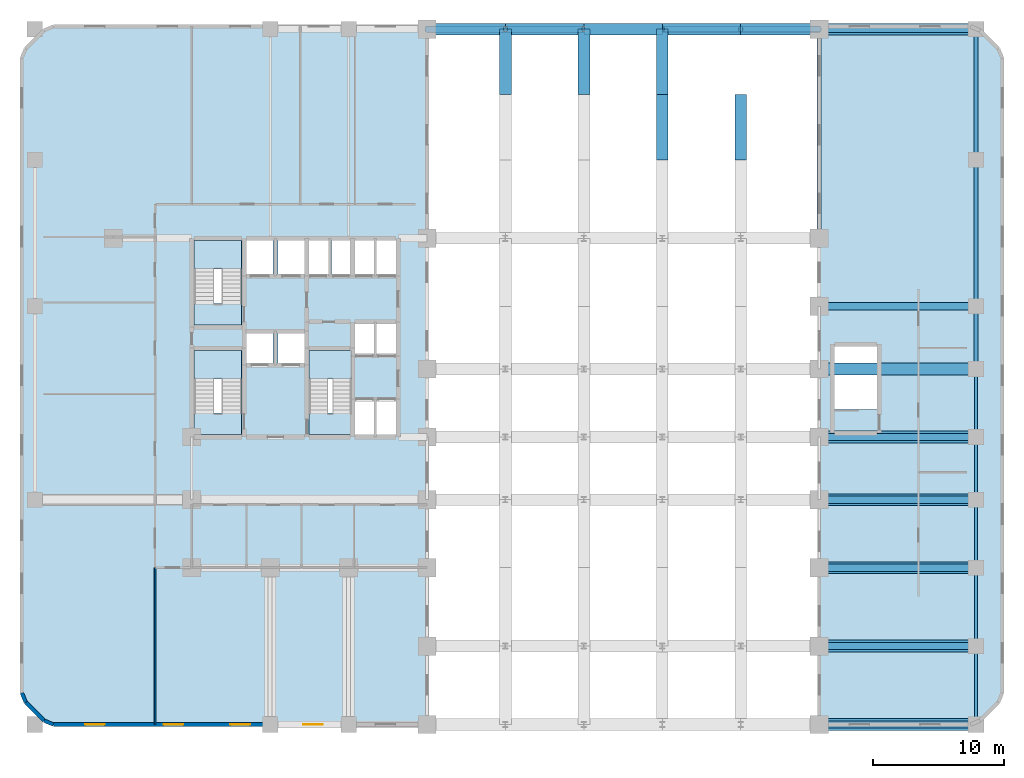
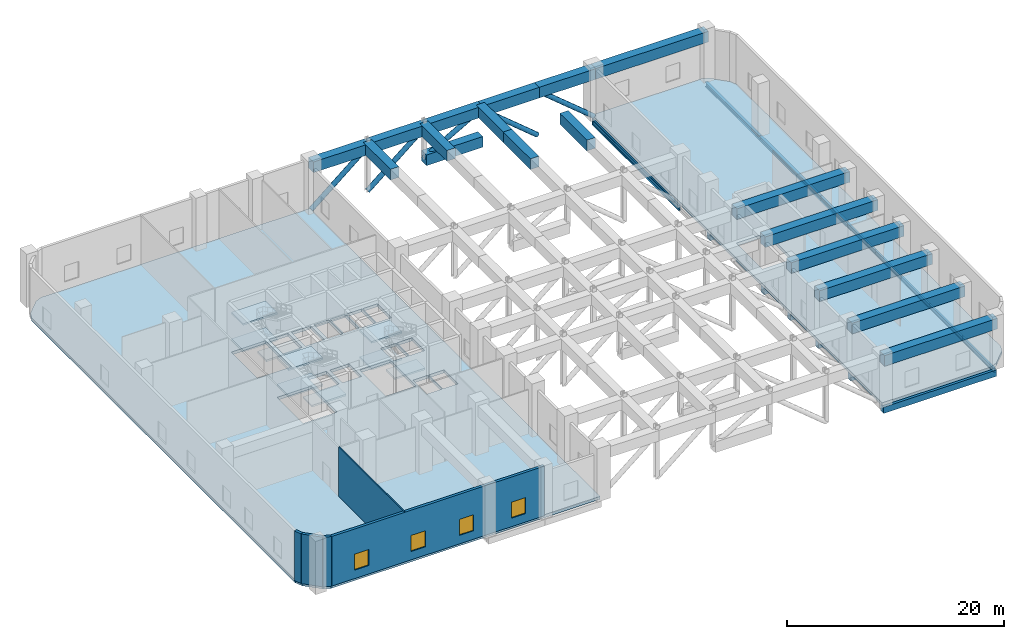
# One storey, part 3 of 11: 34 beams, 11 slabs, 5 members, 5 walls, 4 windows, 4 openings, 3 elements without a shape of their own.
"""IFC4 building model written with IfcOpenShell, lengths in metres."""

from ifc_helpers import new_model, si_unit, direction, frame, frame_2d, origin, origin_2d, place, context, subcontext, project, spatial, polyline, rectangle, hollow_circle, i_section, outline, extrude, material, layer, layer_set, material_profile, profile_set, type_object, element, fill, aggregate, save


model = new_model("IFC4")

# Units and contexts
model_context = context("Model", 3, precision=1e-05, world=origin(), true_north=direction((0.0, 1.0)))
body_context = subcontext(model_context, "Body", "Model", "MODEL_VIEW")
ifc_project = project(units=[si_unit("LENGTHUNIT", "METRE"), si_unit("AREAUNIT", "SQUARE_METRE"), si_unit("VOLUMEUNIT", "CUBIC_METRE"), si_unit("PLANEANGLEUNIT", "RADIAN"), si_unit("MASSUNIT", "GRAM", prefix="KILO")], contexts=[model_context])

# Site, building, storey
site_placement = place(None, origin())
site = spatial("IfcSite", under=ifc_project, at=site_placement, CompositionType="ELEMENT")
building_placement = place(site_placement, origin())
building = spatial("IfcBuilding", under=site, at=building_placement, Name="Keshet Zoharim Tower", CompositionType="ELEMENT")
storey_placement = place(building_placement, frame((0.0, 0.0, 13.0)))
storey = spatial("IfcBuildingStorey", under=building, at=storey_placement, Name="L02", CompositionType="ELEMENT", Elevation=13.0)

# Beams
ifc_material_1 = material(Name="Concrete C60/75", Category="concrete")
ifc_material_profile_1 = material_profile(ifc_material_1, rectangle(XDim=0.89990234375, YDim=1.199951171875, at=origin_2d()), Name="RC1200x900")
ifc_profile_set_1 = profile_set([ifc_material_profile_1], Name="Concrete C60/75")
beam_type_1 = type_object("IfcBeamType", Name="BM-ARCH-1200", PredefinedType="BEAM", material=ifc_profile_set_1)
beam_1_placement = place(storey_placement, frame((45.0, 53.89990234375, 1.56298828125), z_axis=(1.0, 0.0, 0.0), x_axis=(0.0, 1.0, 0.0)))
element("IfcBeam", 1, at=beam_1_placement, inside=storey, type_object=beam_type_1, Name="Arch Spandrel Transfer Rib L-03", PredefinedType="BEAM", context=body_context, shape_type="SweptSolid", body=[
    extrude(rectangle(XDim=0.89990234375, YDim=1.199951171875, at=origin_2d()), origin(), (0.0, 0.0, 1.0), 6.0),
])
ifc_material_2 = material(Name="Steel S355", Category="steel")
ifc_material_profile_2 = material_profile(ifc_material_2, i_section(OverallWidth=0.300048828125, OverallDepth=0.60009765625, WebThickness=0.015380859375, FlangeThickness=0.030029296875, FilletRadius=0.027099609375, at=origin_2d()), Name="HEB600")
ifc_profile_set_2 = profile_set([ifc_material_profile_2], Name="Steel S355")
beam_type_2 = type_object("IfcBeamType", Name="BM-LNG-HB600", PredefinedType="BEAM", material=ifc_profile_set_2)
beam_2_placement = place(storey_placement, frame((63.0, 37.89990234375, -0.6298828125), z_axis=(0.0, 1.0, 0.0), x_axis=(-1.0, 0.0, 0.0)))
element("IfcBeam", 2, at=beam_2_placement, inside=storey, type_object=beam_type_2, Name="L02 Primary Girder Y-021", PredefinedType="BEAM", context=body_context, shape_type="SweptSolid", body=[
    extrude(i_section(OverallWidth=0.300048828125, OverallDepth=0.60009765625, WebThickness=0.015380859375, FlangeThickness=0.030029296875, FilletRadius=0.027099609375, at=origin_2d()), origin(), (0.0, 0.0, 1.0), 16.0),
])
ifc_material_3 = material(Name="Concrete C50/60", Category="concrete")
ifc_material_profile_3 = material_profile(ifc_material_3, rectangle(XDim=0.550048828125, YDim=0.699951171875, at=origin_2d()), Name="RC700x550")
ifc_profile_set_3 = profile_set([ifc_material_profile_3], Name="Concrete C50/60")
beam_type_3 = type_object("IfcBeamType", Name="BM-LNT-700", PredefinedType="LINTEL", material=ifc_profile_set_3)
for number, where, z_axis, x_axis, name in (
    (3, (63.0, 0.699951171875, -0.679931640625), (1.0, 0.0, 0.0), (0.0, 1.0, 0.0), "L02 Primary Girder X-003"),
    (4, (63.0, 6.699951171875, -0.679931640625), (1.0, 0.0, 0.0), (0.0, 1.0, 0.0), "L02 Primary Girder X-004"),
    (5, (63.0, 12.699951171875, -0.679931640625), (1.0, 0.0, 0.0), (0.0, 1.0, 0.0), "L02 Primary Girder X-008"),
    (6, (63.0, 17.89990234375, -0.679931640625), (1.0, 0.0, 0.0), (0.0, 1.0, 0.0), "L02 Primary Girder X-011"),
    (7, (63.0, 22.699951171875, -0.679931640625), (1.0, 0.0, 0.0), (0.0, 1.0, 0.0), "L02 Primary Girder X-013"),
    (8, (63.0, 32.699951171875, -0.679931640625), (1.0, 0.0, 0.0), (0.0, 1.0, 0.0), "L02 Primary Girder X-014"),
    (9, (63.0, 53.89990234375, -0.679931640625), (1.0, 0.0, 0.0), (0.0, 1.0, 0.0), "L02 Primary Girder X-019"),
):
    element("IfcBeam", number, at=place(storey_placement, frame(where, z_axis=z_axis, x_axis=x_axis)), inside=storey, type_object=beam_type_3, Name=name, PredefinedType="LINTEL", context=body_context, shape_type="SweptSolid", body=[
        extrude(rectangle(XDim=0.550048828125, YDim=0.699951171875, at=origin_2d()), origin(), (0.0, 0.0, 1.0), 12.0),
    ])
ifc_material_profile_4 = material_profile(ifc_material_2, i_section(OverallWidth=0.300048828125, OverallDepth=0.5, WebThickness=0.014404296875, FlangeThickness=0.028076171875, FilletRadius=0.027099609375, at=origin_2d()), Name="HEB500")
ifc_profile_set_4 = profile_set([ifc_material_profile_4], Name="Steel S355")
beam_type_4 = type_object("IfcBeamType", Name="BM-MED-HB500", PredefinedType="BEAM", material=ifc_profile_set_4)
beam_3_placement = place(storey_placement, frame((75.0, 27.89990234375, -0.580078125), z_axis=(0.0, 1.0, 0.0), x_axis=(-1.0, 0.0, 0.0)))
element("IfcBeam", 10, at=beam_3_placement, inside=storey, type_object=beam_type_4, Name="L02 Primary Girder Y-027", PredefinedType="BEAM", context=body_context, shape_type="SweptSolid", body=[
    extrude(i_section(OverallWidth=0.300048828125, OverallDepth=0.5, WebThickness=0.014404296875, FlangeThickness=0.028076171875, FilletRadius=0.027099609375, at=origin_2d()), origin(), (0.0, 0.0, 1.0), 4.800048828125),
])
beam_4_placement = place(storey_placement, frame((75.0, 32.699951171875, -0.580078125), z_axis=(0.0, 1.0, 0.0), x_axis=(-1.0, 0.0, 0.0)))
element("IfcBeam", 11, at=beam_4_placement, inside=storey, type_object=beam_type_4, Name="L02 Primary Girder Y-028", PredefinedType="BEAM", context=body_context, shape_type="SweptSolid", body=[
    extrude(i_section(OverallWidth=0.300048828125, OverallDepth=0.5, WebThickness=0.014404296875, FlangeThickness=0.028076171875, FilletRadius=0.027099609375, at=origin_2d()), origin(), (0.0, 0.0, 1.0), 11.199951171875),
])
beam_5_placement = place(storey_placement, frame((75.0, 43.89990234375, -0.580078125), z_axis=(0.0, 1.0, 0.0), x_axis=(-1.0, 0.0, 0.0)))
element("IfcBeam", 12, at=beam_5_placement, inside=storey, type_object=beam_type_4, Name="L02 Primary Girder Y-029", PredefinedType="BEAM", context=body_context, shape_type="SweptSolid", body=[
    extrude(i_section(OverallWidth=0.300048828125, OverallDepth=0.5, WebThickness=0.014404296875, FlangeThickness=0.028076171875, FilletRadius=0.027099609375, at=origin_2d()), origin(), (0.0, 0.0, 1.0), 10.0),
])
ifc_material_profile_5 = material_profile(ifc_material_2, i_section(OverallWidth=0.199951171875, OverallDepth=0.5, WebThickness=0.01025390625, FlangeThickness=0.01611328125, FilletRadius=0.02099609375, at=origin_2d()), Name="IPE500")
ifc_profile_set_5 = profile_set([ifc_material_profile_5], Name="Steel S355")
beam_type_5 = type_object("IfcBeamType", Name="BM-PRI-IP500", PredefinedType="BEAM", material=ifc_profile_set_5)
for number, where, z_axis, x_axis, name in (
    (13, (75.0, 0.699951171875, -0.580078125), (0.0, 1.0, 0.0), (-1.0, 0.0, 0.0), "L02 Primary Girder Y-022"),
    (14, (75.0, 6.699951171875, -0.580078125), (0.0, 1.0, 0.0), (-1.0, 0.0, 0.0), "L02 Primary Girder Y-023"),
):
    element("IfcBeam", number, at=place(storey_placement, frame(where, z_axis=z_axis, x_axis=x_axis)), inside=storey, type_object=beam_type_5, Name=name, PredefinedType="BEAM", context=body_context, shape_type="SweptSolid", body=[
        extrude(i_section(OverallWidth=0.199951171875, OverallDepth=0.5, WebThickness=0.01025390625, FlangeThickness=0.01611328125, FilletRadius=0.02099609375, at=origin_2d()), origin(), (0.0, 0.0, 1.0), 6.0),
    ])
beam_6_placement = place(storey_placement, frame((75.0, 12.699951171875, -0.580078125), z_axis=(0.0, 1.0, 0.0), x_axis=(-1.0, 0.0, 0.0)))
element("IfcBeam", 15, at=beam_6_placement, inside=storey, type_object=beam_type_5, Name="L02 Primary Girder Y-024", PredefinedType="BEAM", context=body_context, shape_type="SweptSolid", body=[
    extrude(i_section(OverallWidth=0.199951171875, OverallDepth=0.5, WebThickness=0.01025390625, FlangeThickness=0.01611328125, FilletRadius=0.02099609375, at=origin_2d()), origin(), (0.0, 0.0, 1.0), 5.199951171875),
])
beam_7_placement = place(storey_placement, frame((75.0, 17.89990234375, -0.580078125), z_axis=(0.0, 1.0, 0.0), x_axis=(-1.0, 0.0, 0.0)))
element("IfcBeam", 16, at=beam_7_placement, inside=storey, type_object=beam_type_5, Name="L02 Primary Girder Y-025", PredefinedType="BEAM", context=body_context, shape_type="SweptSolid", body=[
    extrude(i_section(OverallWidth=0.199951171875, OverallDepth=0.5, WebThickness=0.01025390625, FlangeThickness=0.01611328125, FilletRadius=0.02099609375, at=origin_2d()), origin(), (0.0, 0.0, 1.0), 4.800048828125),
])
beam_8_placement = place(storey_placement, frame((75.0, 22.699951171875, -0.580078125), z_axis=(0.0, 1.0, 0.0), x_axis=(-1.0, 0.0, 0.0)))
element("IfcBeam", 17, at=beam_8_placement, inside=storey, type_object=beam_type_5, Name="L02 Primary Girder Y-026", PredefinedType="BEAM", context=body_context, shape_type="SweptSolid", body=[
    extrude(i_section(OverallWidth=0.199951171875, OverallDepth=0.5, WebThickness=0.01025390625, FlangeThickness=0.01611328125, FilletRadius=0.02099609375, at=origin_2d()), origin(), (0.0, 0.0, 1.0), 5.199951171875),
])
ifc_material_profile_6 = material_profile(ifc_material_1, rectangle(XDim=0.89990234375, YDim=1.199951171875, at=origin_2d()), Name="RC1200x900")
ifc_profile_set_6 = profile_set([ifc_material_profile_6], Name="Concrete C60/75")
beam_type_6 = type_object("IfcBeamType", Name="BM-TBM-1200", PredefinedType="T_BEAM", material=ifc_profile_set_6)
for number, where, z_axis, x_axis, name in (
    (18, (63.0, 0.699951171875, 4.97998046875), (1.0, 0.0, 0.0), (0.0, 1.0, 0.0), "Podium East Clinic Transfer T-Girder Y0.7"),
    (19, (63.0, 6.699951171875, 4.97998046875), (1.0, 0.0, 0.0), (0.0, 1.0, 0.0), "Podium East Clinic Transfer T-Girder Y6.7"),
    (20, (63.0, 12.699951171875, 4.97998046875), (1.0, 0.0, 0.0), (0.0, 1.0, 0.0), "Podium East Clinic Transfer T-Girder Y12.7"),
    (21, (63.0, 17.89990234375, 4.97998046875), (1.0, 0.0, 0.0), (0.0, 1.0, 0.0), "Podium East Clinic Transfer T-Girder Y17.9"),
    (22, (63.0, 22.699951171875, 4.97998046875), (1.0, 0.0, 0.0), (0.0, 1.0, 0.0), "Podium East Clinic Transfer T-Girder Y22.7"),
    (23, (63.0, 27.89990234375, 4.97998046875), (1.0, 0.0, 0.0), (0.0, 1.0, 0.0), "Podium East Clinic Transfer T-Girder Y27.9"),
    (24, (63.0, 53.89990234375, 4.97998046875), (1.0, 0.0, 0.0), (0.0, 1.0, 0.0), "Podium East Clinic Transfer T-Girder Y53.9"),
):
    element("IfcBeam", number, at=place(storey_placement, frame(where, z_axis=z_axis, x_axis=x_axis)), inside=storey, type_object=beam_type_6, Name=name, PredefinedType="T_BEAM", context=body_context, shape_type="SweptSolid", body=[
        extrude(rectangle(XDim=0.89990234375, YDim=1.199951171875, at=origin_2d()), origin(), (0.0, 0.0, 1.0), 12.0),
    ])
ifc_material_profile_7 = material_profile(ifc_material_1, rectangle(XDim=0.89990234375, YDim=1.199951171875, at=origin_2d()), Name="RC1200x900")
ifc_profile_set_7 = profile_set([ifc_material_profile_7], Name="Concrete C60/75")
beam_type_7 = type_object("IfcBeamType", Name="BM-XFER-1200", PredefinedType="BEAM", material=ifc_profile_set_7)
for number, where, z_axis, x_axis, name in (
    (25, (33.0, 53.89990234375, 4.97998046875), (1.0, 0.0, 0.0), (0.0, 1.0, 0.0), "Podium Transfer Girder L 33-39"),
    (26, (39.0, 53.89990234375, 4.97998046875), (1.0, 0.0, 0.0), (0.0, 1.0, 0.0), "Podium Transfer Girder L 39-45"),
    (27, (45.0, 53.89990234375, 4.97998046875), (1.0, 0.0, 0.0), (0.0, 1.0, 0.0), "Podium Transfer Girder L 45-51"),
    (28, (51.0, 53.89990234375, 4.97998046875), (1.0, 0.0, 0.0), (0.0, 1.0, 0.0), "Podium Transfer Girder L 51-57"),
    (29, (57.0, 53.89990234375, 4.97998046875), (1.0, 0.0, 0.0), (0.0, 1.0, 0.0), "Podium Transfer Girder L 57-63"),
):
    element("IfcBeam", number, at=place(storey_placement, frame(where, z_axis=z_axis, x_axis=x_axis)), inside=storey, type_object=beam_type_7, Name=name, PredefinedType="BEAM", context=body_context, shape_type="SweptSolid", body=[
        extrude(rectangle(XDim=0.89990234375, YDim=1.199951171875, at=origin_2d()), origin(), (0.0, 0.0, 1.0), 6.0),
    ])
for number, where, z_axis, x_axis, name in (
    (30, (39.0, 48.89990234375, 4.97998046875), (0.0, 1.0, 0.0), (-1.0, 0.0, 0.0), "Podium Transverse Transfer Girder X39-48.9"),
    (31, (45.0, 48.89990234375, 4.97998046875), (0.0, 1.0, 0.0), (-1.0, 0.0, 0.0), "Podium Transverse Transfer Girder X45-48.9"),
    (32, (51.0, 43.89990234375, 4.97998046875), (0.0, 1.0, 0.0), (-1.0, 0.0, 0.0), "Podium Transverse Transfer Girder X51-43.9"),
    (33, (51.0, 48.89990234375, 4.97998046875), (0.0, 1.0, 0.0), (-1.0, 0.0, 0.0), "Podium Transverse Transfer Girder X51-48.9"),
    (34, (57.0, 43.89990234375, 4.97998046875), (0.0, 1.0, 0.0), (-1.0, 0.0, 0.0), "Podium Transverse Transfer Girder X57-43.9"),
):
    element("IfcBeam", number, at=place(storey_placement, frame(where, z_axis=z_axis, x_axis=x_axis)), inside=storey, type_object=beam_type_7, Name=name, PredefinedType="BEAM", context=body_context, shape_type="SweptSolid", body=[
        extrude(rectangle(XDim=0.89990234375, YDim=1.199951171875, at=origin_2d()), origin(), (0.0, 0.0, 1.0), 5.0),
    ])

# Members
ifc_material_profile_8 = material_profile(ifc_material_2, hollow_circle(Radius=0.25390625, WallThickness=0.02001953125, at=origin_2d()), Name="CHS508x20")
ifc_profile_set_8 = profile_set([ifc_material_profile_8], Name="Steel S355")
member_type = type_object("IfcMemberType", Name="MB-XFER-C508", PredefinedType="BRACE", material=ifc_profile_set_8)
for number, where, z_axis, x_axis, name in (
    (35, (33.0, 53.89990234375, 0.0), (0.76948246386, 0.0, 0.638667940178), (0.0, 1.0, 0.0), "Arch Spandrel Transfer Truss Diagonal L-33"),
    (36, (39.0, 53.89990234375, 0.0), (0.76948246386, 0.0, 0.638667940178), (0.0, 1.0, 0.0), "Arch Spandrel Transfer Truss Diagonal L-39"),
):
    element("IfcMember", number, at=place(storey_placement, frame(where, z_axis=z_axis, x_axis=x_axis)), inside=storey, type_object=member_type, Name=name, PredefinedType="BRACE", context=body_context, shape_type="SweptSolid", body=[
        extrude(hollow_circle(Radius=0.25390625, WallThickness=0.02001953125, at=origin_2d()), origin(), (0.0, 0.0, 1.0), 7.79736328125),
    ])
member_placement = place(storey_placement, frame((45.0, 53.89990234375, 1.56298828125), z_axis=(0.868964618235, 0.0, 0.494874218621), x_axis=(0.0, 1.0, 0.0)))
element("IfcMember", 37, at=member_placement, inside=storey, type_object=member_type, Name="Arch Spandrel Transfer Truss Diagonal L-45", PredefinedType="BRACE", context=body_context, shape_type="SweptSolid", body=[
    extrude(hollow_circle(Radius=0.25390625, WallThickness=0.02001953125, at=origin_2d()), origin(), (0.0, 0.0, 1.0), 6.90478515625),
])
for number, where, z_axis, x_axis, name in (
    (38, (57.0, 53.89990234375, 0.0), (-0.76948246386, 0.0, 0.638667940178), (0.0, -1.0, 0.0), "Arch Spandrel Transfer Truss Diagonal L-51"),
    (39, (63.0, 53.89990234375, 0.0), (-0.76948246386, 0.0, 0.638667940178), (0.0, -1.0, 0.0), "Arch Spandrel Transfer Truss Diagonal L-57"),
):
    element("IfcMember", number, at=place(storey_placement, frame(where, z_axis=z_axis, x_axis=x_axis)), inside=storey, type_object=member_type, Name=name, PredefinedType="BRACE", context=body_context, shape_type="SweptSolid", body=[
        extrude(hollow_circle(Radius=0.25390625, WallThickness=0.02001953125, at=origin_2d()), origin(), (0.0, 0.0, 1.0), 7.79736328125),
    ])

# Slabs
ifc_layer_1 = layer(ifc_material_3, 0.330078125)
ifc_layer_set_1 = layer_set([ifc_layer_1], Name="Concrete C50/60")
slab_type_1 = type_object("IfcSlabType", Name="SLB-CLN-280", PredefinedType="FLOOR", material=ifc_layer_set_1)
slab_1_placement = place(storey_placement, frame((0.0, 0.0, -0.330078125)))
element("IfcSlab", 40, at=slab_1_placement, inside=storey, type_object=slab_type_1, Name="L02 Structural Floor Slab 1", PredefinedType="FLOOR", context=body_context, shape_type="SweptSolid", body=[
    extrude(outline(polyline([(2.0, 3.114013671875), (2.0, 51.68603515625), (2.29296875, 52.39306640625), (3.70703125, 53.806884765625), (4.4140625, 54.10009765625), (33.0, 54.10009765625), (33.0, 0.699951171875), (4.4140625, 0.699951171875), (3.70703125, 0.992919921875), (2.29296875, 2.406982421875), (2.0, 3.114013671875)]), holes=[polyline([(15.179931640625, 24.52001953125), (18.820068359375, 24.52001953125), (18.820068359375, 29.320068359375), (15.179931640625, 29.320068359375), (15.179931640625, 24.52001953125)]), polyline([(15.179931640625, 32.919921875), (18.820068359375, 32.919921875), (18.820068359375, 37.719970703125), (15.179931640625, 37.719970703125), (15.179931640625, 32.919921875)]), polyline([(23.97998046875, 24.52001953125), (27.219970703125, 24.52001953125), (27.219970703125, 29.320068359375), (23.97998046875, 29.320068359375), (23.97998046875, 24.52001953125)]), polyline([(19.179931640625, 35.14990234375), (21.219970703125, 35.14990234375), (21.219970703125, 37.719970703125), (19.179931640625, 37.719970703125), (19.179931640625, 35.14990234375)]), polyline([(21.580078125, 35.14990234375), (23.6201171875, 35.14990234375), (23.6201171875, 37.719970703125), (21.580078125, 37.719970703125), (21.580078125, 35.14990234375)]), polyline([(19.179931640625, 28.35009765625), (21.219970703125, 28.35009765625), (21.219970703125, 30.679931640625), (19.179931640625, 30.679931640625), (19.179931640625, 28.35009765625)]), polyline([(21.580078125, 28.35009765625), (23.6201171875, 28.35009765625), (23.6201171875, 30.679931640625), (21.580078125, 30.679931640625), (21.580078125, 28.35009765625)]), polyline([(23.949951171875, 35.14990234375), (25.550048828125, 35.14990234375), (25.550048828125, 37.719970703125), (23.949951171875, 37.719970703125), (23.949951171875, 35.14990234375)]), polyline([(25.679931640625, 35.14990234375), (27.280029296875, 35.14990234375), (27.280029296875, 37.719970703125), (25.679931640625, 37.719970703125), (25.679931640625, 35.14990234375)]), polyline([(27.419921875, 35.14990234375), (29.02001953125, 35.14990234375), (29.02001953125, 37.719970703125), (27.419921875, 37.719970703125), (27.419921875, 35.14990234375)]), polyline([(29.14990234375, 35.14990234375), (30.719970703125, 35.14990234375), (30.719970703125, 37.719970703125), (29.14990234375, 37.719970703125), (29.14990234375, 35.14990234375)]), polyline([(27.39990234375, 29.050048828125), (29.02001953125, 29.050048828125), (29.02001953125, 31.3798828125), (27.39990234375, 31.3798828125), (27.39990234375, 29.050048828125)]), polyline([(29.1201171875, 29.050048828125), (30.719970703125, 29.050048828125), (30.719970703125, 31.3798828125), (29.1201171875, 31.3798828125), (29.1201171875, 29.050048828125)]), polyline([(27.39990234375, 22.8798828125), (29.02001953125, 22.8798828125), (29.02001953125, 25.449951171875), (27.39990234375, 25.449951171875), (27.39990234375, 22.8798828125)]), polyline([(29.1201171875, 22.8798828125), (30.719970703125, 22.8798828125), (30.719970703125, 25.449951171875), (29.1201171875, 25.449951171875), (29.1201171875, 22.8798828125)])]), origin(), (0.0, 0.0, 1.0), 0.330078125),
])
slab_2_placement = place(storey_placement, frame((0.0, 0.0, -0.330078125)))
element("IfcSlab", 41, at=slab_2_placement, inside=storey, type_object=slab_type_1, Name="L02 Structural Floor Slab 2", PredefinedType="FLOOR", context=body_context, shape_type="SweptSolid", body=[
    extrude(outline(polyline([(74.5859375, 54.10009765625), (75.29296875, 53.806884765625), (76.70703125, 52.39306640625), (77.0, 51.68603515625), (77.0, 3.114013671875), (76.70703125, 2.406982421875), (75.29296875, 0.992919921875), (74.5859375, 0.699951171875), (63.0, 0.699951171875), (63.0, 54.10009765625), (74.5859375, 54.10009765625)]), holes=[polyline([(64.179931640625, 24.820068359375), (67.419921875, 24.820068359375), (67.419921875, 29.6201171875), (64.179931640625, 29.6201171875), (64.179931640625, 24.820068359375)])]), origin(), (0.0, 0.0, 1.0), 0.330078125),
])

# Stair, slabs
stair_type = type_object("IfcStairType", Name="STR-POD-135", PredefinedType="HALF_TURN_STAIR", material=ifc_material_3)
stair_1_placement = place(storey_placement, origin())
stair_1 = element("IfcStair", 42, at=stair_1_placement, inside=storey, type_object=stair_type, Name="L02 Enclosed Exit Stair ST-01", PredefinedType="HALF_TURN_STAIR")
ifc_layer_2 = layer(ifc_material_3, 0.199951171875)
ifc_layer_set_2 = layer_set([ifc_layer_2], Name="Concrete C50/60")
slab_type_2 = type_object("IfcSlabType", Name="SLB-LND-200", PredefinedType="LANDING", material=ifc_layer_set_2)
slab_3_placement = place(storey_placement, frame((0.0, 0.0, 1.300048828125)))
slab_3 = element("IfcSlab", 43, at=slab_3_placement, type_object=slab_type_2, Name="ST-01 landing 1", PredefinedType="LANDING", context=body_context, shape_type="SweptSolid", body=[
    extrude(outline(polyline([(15.179931640625, 27.14990234375), (18.820068359375, 27.14990234375), (18.820068359375, 29.320068359375), (15.179931640625, 29.320068359375), (15.179931640625, 27.14990234375)])), origin(), (0.0, 0.0, 1.0), 0.199951171875),
])
slab_4_placement = place(storey_placement, frame((0.0, 0.0, 2.800048828125)))
slab_4 = element("IfcSlab", 44, at=slab_4_placement, type_object=slab_type_2, Name="ST-01 landing 2", PredefinedType="LANDING", context=body_context, shape_type="SweptSolid", body=[
    extrude(outline(polyline([(15.179931640625, 22.8798828125), (18.820068359375, 22.8798828125), (18.820068359375, 24.52001953125), (15.179931640625, 24.52001953125), (15.179931640625, 22.8798828125)])), origin(), (0.0, 0.0, 1.0), 0.199951171875),
])
slab_5_placement = place(storey_placement, frame((0.0, 0.0, 4.300048828125)))
slab_5 = element("IfcSlab", 45, at=slab_5_placement, type_object=slab_type_2, Name="ST-01 landing 3", PredefinedType="LANDING", context=body_context, shape_type="SweptSolid", body=[
    extrude(outline(polyline([(15.179931640625, 27.14990234375), (18.820068359375, 27.14990234375), (18.820068359375, 29.320068359375), (15.179931640625, 29.320068359375), (15.179931640625, 27.14990234375)])), origin(), (0.0, 0.0, 1.0), 0.199951171875),
])
aggregate(stair_1, [slab_3, slab_4, slab_5])

stair_2_placement = place(storey_placement, origin())
stair_2 = element("IfcStair", 46, at=stair_2_placement, inside=storey, type_object=stair_type, Name="L02 Enclosed Exit Stair ST-02", PredefinedType="HALF_TURN_STAIR")
slab_6_placement = place(storey_placement, frame((0.0, 0.0, 1.300048828125)))
slab_6 = element("IfcSlab", 47, at=slab_6_placement, type_object=slab_type_2, Name="ST-02 landing 1", PredefinedType="LANDING", context=body_context, shape_type="SweptSolid", body=[
    extrude(outline(polyline([(15.179931640625, 35.550048828125), (18.820068359375, 35.550048828125), (18.820068359375, 37.719970703125), (15.179931640625, 37.719970703125), (15.179931640625, 35.550048828125)])), origin(), (0.0, 0.0, 1.0), 0.199951171875),
])
slab_7_placement = place(storey_placement, frame((0.0, 0.0, 2.800048828125)))
slab_7 = element("IfcSlab", 48, at=slab_7_placement, type_object=slab_type_2, Name="ST-02 landing 2", PredefinedType="LANDING", context=body_context, shape_type="SweptSolid", body=[
    extrude(outline(polyline([(15.179931640625, 31.280029296875), (18.820068359375, 31.280029296875), (18.820068359375, 32.919921875), (15.179931640625, 32.919921875), (15.179931640625, 31.280029296875)])), origin(), (0.0, 0.0, 1.0), 0.199951171875),
])
slab_8_placement = place(storey_placement, frame((0.0, 0.0, 4.300048828125)))
slab_8 = element("IfcSlab", 49, at=slab_8_placement, type_object=slab_type_2, Name="ST-02 landing 3", PredefinedType="LANDING", context=body_context, shape_type="SweptSolid", body=[
    extrude(outline(polyline([(15.179931640625, 35.550048828125), (18.820068359375, 35.550048828125), (18.820068359375, 37.719970703125), (15.179931640625, 37.719970703125), (15.179931640625, 35.550048828125)])), origin(), (0.0, 0.0, 1.0), 0.199951171875),
])
aggregate(stair_2, [slab_6, slab_7, slab_8])

stair_3_placement = place(storey_placement, origin())
stair_3 = element("IfcStair", 50, at=stair_3_placement, inside=storey, type_object=stair_type, Name="L02 Enclosed Exit Stair ST-03", PredefinedType="HALF_TURN_STAIR")
slab_9_placement = place(storey_placement, frame((0.0, 0.0, 1.300048828125)))
slab_9 = element("IfcSlab", 51, at=slab_9_placement, type_object=slab_type_2, Name="ST-03 landing 1", PredefinedType="LANDING", context=body_context, shape_type="SweptSolid", body=[
    extrude(outline(polyline([(23.97998046875, 27.14990234375), (27.219970703125, 27.14990234375), (27.219970703125, 29.320068359375), (23.97998046875, 29.320068359375), (23.97998046875, 27.14990234375)])), origin(), (0.0, 0.0, 1.0), 0.199951171875),
])
slab_10_placement = place(storey_placement, frame((0.0, 0.0, 2.800048828125)))
slab_10 = element("IfcSlab", 52, at=slab_10_placement, type_object=slab_type_2, Name="ST-03 landing 2", PredefinedType="LANDING", context=body_context, shape_type="SweptSolid", body=[
    extrude(outline(polyline([(23.97998046875, 22.8798828125), (27.219970703125, 22.8798828125), (27.219970703125, 24.52001953125), (23.97998046875, 24.52001953125), (23.97998046875, 22.8798828125)])), origin(), (0.0, 0.0, 1.0), 0.199951171875),
])
slab_11_placement = place(storey_placement, frame((0.0, 0.0, 4.300048828125)))
slab_11 = element("IfcSlab", 53, at=slab_11_placement, type_object=slab_type_2, Name="ST-03 landing 3", PredefinedType="LANDING", context=body_context, shape_type="SweptSolid", body=[
    extrude(outline(polyline([(23.97998046875, 27.14990234375), (27.219970703125, 27.14990234375), (27.219970703125, 29.320068359375), (23.97998046875, 29.320068359375), (23.97998046875, 27.14990234375)])), origin(), (0.0, 0.0, 1.0), 0.199951171875),
])
aggregate(stair_3, [slab_9, slab_10, slab_11])

# Walls
ifc_material_4 = material(Name="Concrete C50/60 precast", Category="concrete")
ifc_layer_3 = layer(ifc_material_4, 0.280029296875)
ifc_layer_set_3 = layer_set([ifc_layer_3], Name="Concrete C50/60 precast")
wall_type_1 = type_object("IfcWallType", Name="WL-EXT-280", PredefinedType="STANDARD", material=ifc_layer_set_3)
wall_1_placement = place(storey_placement, frame((4.4140625, 0.699951171875, 0.0), z_axis=(0.0, 0.0, 1.0), x_axis=(-0.92383017907, 0.382802560388, 0.0)))
element("IfcWall", 54, at=wall_1_placement, inside=storey, type_object=wall_type_1, Name="L02 Podium Precast Facade Wall 08", PredefinedType="STANDARD", context=body_context, shape_type="SweptSolid", body=[
    extrude(rectangle(XDim=0.765380859375, YDim=0.280029296875, at=frame_2d((0.3828125, 0.0))), origin(), (0.0, 0.0, 1.0), 5.580078125),
])
wall_2_placement = place(storey_placement, frame((3.70703125, 0.992919921875, 0.0), z_axis=(0.0, 0.0, 1.0), x_axis=(-0.707106781187, 0.707106781187, 0.0)))
element("IfcWall", 55, at=wall_2_placement, inside=storey, type_object=wall_type_1, Name="L02 Podium Precast Facade Wall 09", PredefinedType="STANDARD", context=body_context, shape_type="SweptSolid", body=[
    extrude(rectangle(XDim=1.999755859375, YDim=0.280029296875, at=frame_2d((1.0, 0.0))), origin(), (0.0, 0.0, 1.0), 5.580078125),
])
wall_3_placement = place(storey_placement, frame((2.29296875, 2.406982421875, 0.0), z_axis=(0.0, 0.0, 1.0), x_axis=(-0.382802560388, 0.92383017907, 0.0)))
element("IfcWall", 56, at=wall_3_placement, inside=storey, type_object=wall_type_1, Name="L02 Podium Precast Facade Wall 10", PredefinedType="STANDARD", context=body_context, shape_type="SweptSolid", body=[
    extrude(rectangle(XDim=0.765380859375, YDim=0.280029296875, at=frame_2d((0.3828125, 0.0))), origin(), (0.0, 0.0, 1.0), 5.580078125),
])

# Wall, openings, windows
wall_4_placement = place(storey_placement, frame((27.0, 0.699951171875, 0.0), z_axis=(0.0, 0.0, 1.0), x_axis=(-1.0, 0.0, 0.0)))
wall_4 = element("IfcWall", 57, at=wall_4_placement, inside=storey, type_object=wall_type_1, Name="L02 Podium Precast Facade Wall 07 Part 2", PredefinedType="STANDARD", context=body_context, shape_type="SweptSolid", body=[
    extrude(rectangle(XDim=22.5859375, YDim=0.280029296875, at=frame_2d((11.29296875, 0.0))), origin(), (0.0, 0.0, 1.0), 5.580078125),
])
opening_1_placement = place(wall_4_placement, frame((1.986083984375, 0.0, 0.949951171875)))
opening_1 = element("IfcOpeningElement", 58, at=opening_1_placement, cuts=wall_4, Name="Opening W-150", PredefinedType="OPENING", context=body_context, shape_type="SweptSolid", body=[
    extrude(rectangle(XDim=1.5, YDim=1.800048828125, at=frame_2d((0.75, 0.89990234375))), frame((0.0, 0.14990234375, 0.0), z_axis=(0.0, -1.0, 0.0), x_axis=(1.0, 0.0, 0.0)), (0.0, 0.0, 1.0), 0.300048828125),
])
opening_2_placement = place(wall_4_placement, frame((7.54296875, 0.0, 0.949951171875)))
opening_2 = element("IfcOpeningElement", 59, at=opening_2_placement, cuts=wall_4, Name="Opening W-150", PredefinedType="OPENING", context=body_context, shape_type="SweptSolid", body=[
    extrude(rectangle(XDim=1.5, YDim=1.800048828125, at=frame_2d((0.75, 0.89990234375))), frame((0.0, 0.14990234375, 0.0), z_axis=(0.0, -1.0, 0.0), x_axis=(1.0, 0.0, 0.0)), (0.0, 0.0, 1.0), 0.300048828125),
])
opening_3_placement = place(wall_4_placement, frame((12.64990234375, 0.0, 0.949951171875)))
opening_3 = element("IfcOpeningElement", 60, at=opening_3_placement, cuts=wall_4, Name="Opening W-150", PredefinedType="OPENING", context=body_context, shape_type="SweptSolid", body=[
    extrude(rectangle(XDim=1.5, YDim=1.800048828125, at=frame_2d((0.75, 0.89990234375))), frame((0.0, 0.14990234375, 0.0), z_axis=(0.0, -1.0, 0.0), x_axis=(1.0, 0.0, 0.0)), (0.0, 0.0, 1.0), 0.300048828125),
])
opening_4_placement = place(wall_4_placement, frame((18.656982421875, 0.0, 0.949951171875)))
opening_4 = element("IfcOpeningElement", 61, at=opening_4_placement, cuts=wall_4, Name="Opening W-150", PredefinedType="OPENING", context=body_context, shape_type="SweptSolid", body=[
    extrude(rectangle(XDim=1.5, YDim=1.800048828125, at=frame_2d((0.75, 0.89990234375))), frame((0.0, 0.14990234375, 0.0), z_axis=(0.0, -1.0, 0.0), x_axis=(1.0, 0.0, 0.0)), (0.0, 0.0, 1.0), 0.300048828125),
])
ifc_material_5 = material(Name="Insulated Low-E Clear Glass", Category="glass")
window_type = type_object("IfcWindowType", Name="WN-CLN-150", PartitioningType="SINGLE_PANEL", PredefinedType="WINDOW", material=ifc_material_5)
window_1_placement = place(opening_1_placement, origin())
window_1 = element("IfcWindow", 62, at=window_1_placement, inside=storey, type_object=window_type, Name="L02 Clinic Facade Window 24", OverallHeight=1.800048828125, OverallWidth=1.5, PartitioningType="SINGLE_PANEL", PredefinedType="WINDOW", context=body_context, shape_type="SweptSolid", body=[
    extrude(rectangle(XDim=1.5, YDim=1.800048828125, at=frame_2d((0.75, 0.89990234375))), frame((0.0, 0.030029296875, 0.0), z_axis=(0.0, -1.0, 0.0), x_axis=(1.0, 0.0, 0.0)), (0.0, 0.0, 1.0), 0.06005859375),
])
fill(opening_1, window_1)
window_2_placement = place(opening_2_placement, origin())
window_2 = element("IfcWindow", 63, at=window_2_placement, inside=storey, type_object=window_type, Name="L02 Clinic Facade Window 25", OverallHeight=1.800048828125, OverallWidth=1.5, PartitioningType="SINGLE_PANEL", PredefinedType="WINDOW", context=body_context, shape_type="SweptSolid", body=[
    extrude(rectangle(XDim=1.5, YDim=1.800048828125, at=frame_2d((0.75, 0.89990234375))), frame((0.0, 0.030029296875, 0.0), z_axis=(0.0, -1.0, 0.0), x_axis=(1.0, 0.0, 0.0)), (0.0, 0.0, 1.0), 0.06005859375),
])
fill(opening_2, window_2)
window_3_placement = place(opening_3_placement, origin())
window_3 = element("IfcWindow", 64, at=window_3_placement, inside=storey, type_object=window_type, Name="L02 Clinic Facade Window 26", OverallHeight=1.800048828125, OverallWidth=1.5, PartitioningType="SINGLE_PANEL", PredefinedType="WINDOW", context=body_context, shape_type="SweptSolid", body=[
    extrude(rectangle(XDim=1.5, YDim=1.800048828125, at=frame_2d((0.75, 0.89990234375))), frame((0.0, 0.030029296875, 0.0), z_axis=(0.0, -1.0, 0.0), x_axis=(1.0, 0.0, 0.0)), (0.0, 0.0, 1.0), 0.06005859375),
])
fill(opening_3, window_3)
window_4_placement = place(opening_4_placement, origin())
window_4 = element("IfcWindow", 65, at=window_4_placement, inside=storey, type_object=window_type, Name="L02 Clinic Facade Window 27", OverallHeight=1.800048828125, OverallWidth=1.5, PartitioningType="SINGLE_PANEL", PredefinedType="WINDOW", context=body_context, shape_type="SweptSolid", body=[
    extrude(rectangle(XDim=1.5, YDim=1.800048828125, at=frame_2d((0.75, 0.89990234375))), frame((0.0, 0.030029296875, 0.0), z_axis=(0.0, -1.0, 0.0), x_axis=(1.0, 0.0, 0.0)), (0.0, 0.0, 1.0), 0.06005859375),
])
fill(opening_4, window_4)

# Wall
ifc_material_6 = material(Name="Gypsum Plasterboard", Category="gypsum")
ifc_layer_4 = layer(ifc_material_6, 0.1201171875)
ifc_layer_set_4 = layer_set([ifc_layer_4], Name="Gypsum Plasterboard")
wall_type_2 = type_object("IfcWallType", Name="WL-PART-120", PredefinedType="PARTITIONING", material=ifc_layer_set_4)
wall_5_placement = place(storey_placement, frame((12.199951171875, 0.7099609375, 0.0), z_axis=(0.0, 0.0, 1.0), x_axis=(0.0, 1.0, 0.0)))
element("IfcWall", 66, at=wall_5_placement, inside=storey, type_object=wall_type_2, Name="L02 Interior Wall 001", PredefinedType="PARTITIONING", context=body_context, shape_type="SweptSolid", body=[
    extrude(rectangle(XDim=11.989990234375, YDim=0.1201171875, at=frame_2d((5.9951171875, 0.0))), origin(), (0.0, 0.0, 1.0), 5.580078125),
])

save(model, "model.ifc")
